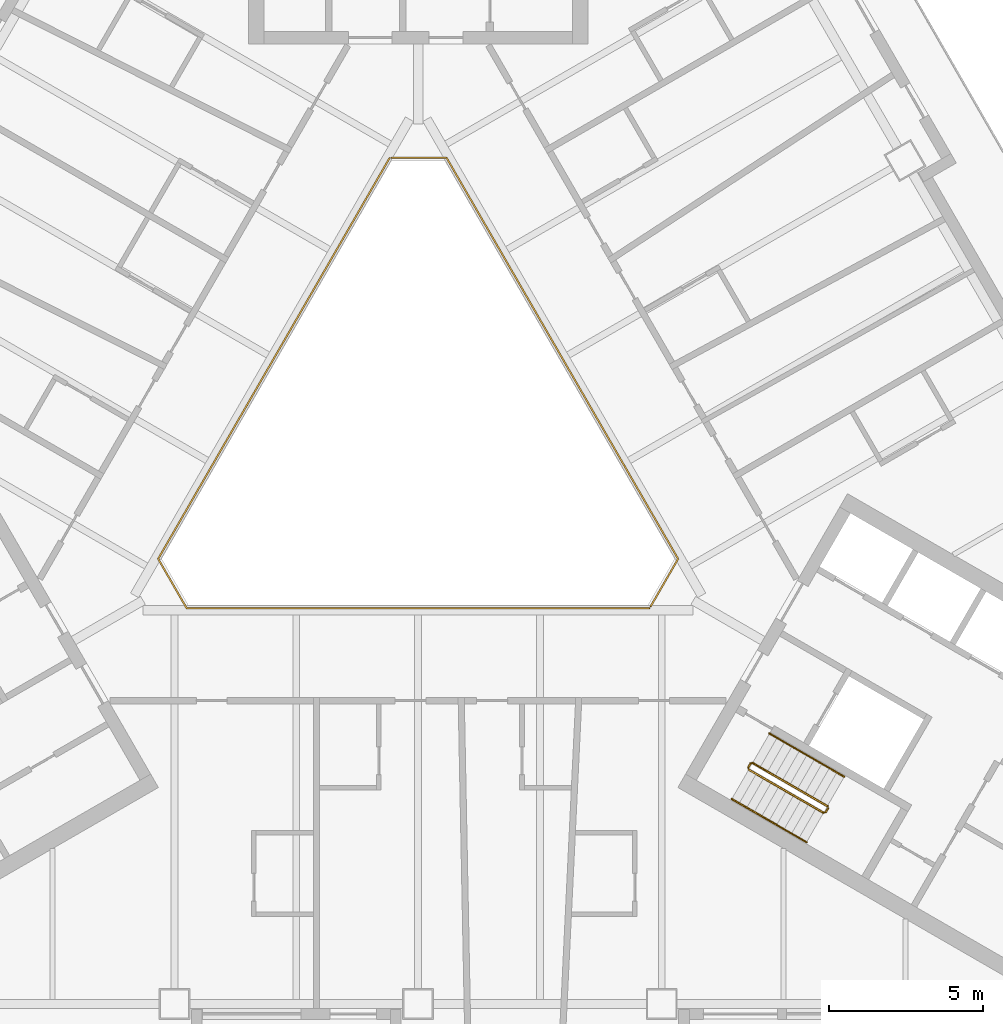
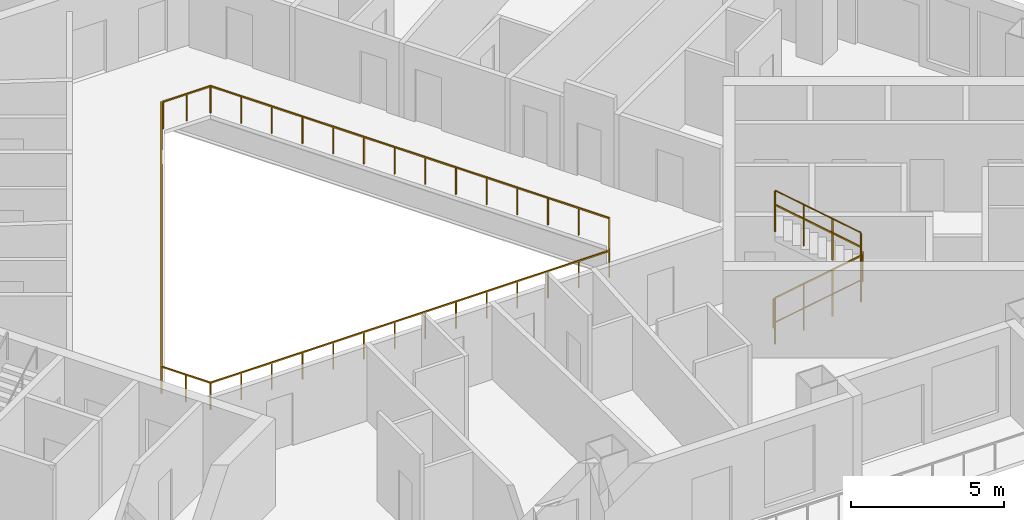
# One storey, part 12 of 14: 8 railings.
"""IFC4 building model written with IfcOpenShell, lengths in metres."""

from ifc_helpers import new_model, si_unit, direction, frame, origin, origin_2d, place, context, subcontext, project, spatial, rectangle, circle, extrude, material, type_object, element, save


model = new_model("IFC4")

# Units and contexts
model_context = context("Model", 3, precision=1e-05, world=origin(), true_north=direction((0.0, 1.0)))
body_context = subcontext(model_context, "Body", "Model", "MODEL_VIEW")
ifc_project = project(units=[si_unit("LENGTHUNIT", "METRE"), si_unit("AREAUNIT", "SQUARE_METRE"), si_unit("VOLUMEUNIT", "CUBIC_METRE"), si_unit("PLANEANGLEUNIT", "RADIAN"), si_unit("MASSUNIT", "GRAM", prefix="KILO")], contexts=[model_context])

# Site, building, storey
site_placement = place(None, origin())
site = spatial("IfcSite", under=ifc_project, at=site_placement, CompositionType="ELEMENT")
building_placement = place(site_placement, origin())
building = spatial("IfcBuilding", under=site, at=building_placement, Name="Apuvela Tower Hotel", CompositionType="ELEMENT")
storey_placement = place(building_placement, frame((0.0, 0.0, 50.199951171875)))
storey = spatial("IfcBuildingStorey", under=building, at=storey_placement, Name="L09", CompositionType="ELEMENT", Elevation=50.199951171875)

# Railings
ifc_material_1 = material(Name="Steel S275 balustrade", Category="steel")
railing_type_1 = type_object("IfcRailingType", Name="COR-GUARD-1100", PredefinedType="GUARDRAIL", material=ifc_material_1)
railing_1_placement = place(storey_placement, frame((10.718994140625, -10.63427734375, 0.168212890625)))
element("IfcRailing", 1, at=railing_1_placement, inside=storey, type_object=railing_type_1, Name="L09 ST3 stair guard 1", PredefinedType="GUARDRAIL", context=body_context, shape_type="SweptSolid", body=[
    extrude(rectangle(XDim=0.048095703125, YDim=0.048095703125, at=origin_2d()), frame((0.0, 0.0, 1.076171875), z_axis=(0.742390482028, -0.42860119049, 0.514934356695), x_axis=(0.49998411664, 0.866034573852, 0.0)), (0.0, 0.0, 1.0), 3.26611328125),
    extrude(rectangle(XDim=0.0419921875, YDim=0.0419921875, at=origin_2d()), origin(), (0.0, 0.0, 1.0), 1.052001953125),
    extrude(rectangle(XDim=0.0419921875, YDim=0.0419921875, at=origin_2d()), frame((0.808349609375, -0.466552734375, 0.560546875)), (0.0, 0.0, 1.0), 1.052001953125),
    extrude(rectangle(XDim=0.0419921875, YDim=0.0419921875, at=origin_2d()), frame((1.616455078125, -0.933349609375, 1.121337890625)), (0.0, 0.0, 1.0), 1.052001953125),
    extrude(rectangle(XDim=0.0419921875, YDim=0.0419921875, at=origin_2d()), frame((2.4248046875, -1.39990234375, 1.681884765625)), (0.0, 0.0, 1.0), 1.052001953125),
])
railing_2_placement = place(storey_placement, frame((13.212158203125, -12.015869140625, 1.85009765625)))
element("IfcRailing", 2, at=railing_2_placement, inside=storey, type_object=railing_type_1, Name="L09 ST3 stair guard 2", PredefinedType="GUARDRAIL", context=body_context, shape_type="SweptSolid", body=[
    extrude(rectangle(XDim=0.048095703125, YDim=0.048095703125, at=origin_2d()), frame((0.0, 0.0, 1.076171875), z_axis=(0.499816412211, 0.866131372301, 0.0), x_axis=(-0.866131372301, 0.499816412211, 0.0)), (0.0, 0.0, 1.0), 0.14990234375),
    extrude(rectangle(XDim=0.0419921875, YDim=0.0419921875, at=origin_2d()), origin(), (0.0, 0.0, 1.0), 1.052001953125),
    extrude(rectangle(XDim=0.0419921875, YDim=0.0419921875, at=origin_2d()), frame((0.074951171875, 0.1298828125, 0.0)), (0.0, 0.0, 1.0), 1.052001953125),
])
railing_3_placement = place(storey_placement, frame((13.268798828125, -11.817626953125, 2.018310546875)))
element("IfcRailing", 3, at=railing_3_placement, inside=storey, type_object=railing_type_1, Name="L09 ST3 stair guard 3", PredefinedType="GUARDRAIL", context=body_context, shape_type="SweptSolid", body=[
    extrude(rectangle(XDim=0.048095703125, YDim=0.048095703125, at=origin_2d()), frame((0.0, 0.0, 1.076171875), z_axis=(-0.74241905619, 0.428617687091, 0.514879426), x_axis=(-0.49998411664, -0.866034573852, 0.0)), (0.0, 0.0, 1.0), 3.26611328125),
    extrude(rectangle(XDim=0.0419921875, YDim=0.0419921875, at=origin_2d()), origin(), (0.0, 0.0, 1.0), 1.052001953125),
    extrude(rectangle(XDim=0.0419921875, YDim=0.0419921875, at=origin_2d()), frame((-0.808349609375, 0.466552734375, 0.560546875)), (0.0, 0.0, 1.0), 1.052001953125),
    extrude(rectangle(XDim=0.0419921875, YDim=0.0419921875, at=origin_2d()), frame((-1.616455078125, 0.933349609375, 1.12109375)), (0.0, 0.0, 1.0), 1.052001953125),
    extrude(rectangle(XDim=0.0419921875, YDim=0.0419921875, at=origin_2d()), frame((-2.4248046875, 1.39990234375, 1.681640625)), (0.0, 0.0, 1.0), 1.052001953125),
])
railing_4_placement = place(storey_placement, frame((10.70068359375, -10.56591796875, 0.0)))
element("IfcRailing", 4, at=railing_4_placement, inside=storey, type_object=railing_type_1, Name="L09 ST3 stair guard 4", PredefinedType="GUARDRAIL", context=body_context, shape_type="SweptSolid", body=[
    extrude(rectangle(XDim=0.048095703125, YDim=0.048095703125, at=origin_2d()), frame((0.0, 0.0, 1.076171875), z_axis=(0.499816412211, 0.866131372301, 0.0), x_axis=(-0.866131372301, 0.499816412211, 0.0)), (0.0, 0.0, 1.0), 0.14990234375),
    extrude(rectangle(XDim=0.0419921875, YDim=0.0419921875, at=origin_2d()), origin(), (0.0, 0.0, 1.0), 1.052001953125),
    extrude(rectangle(XDim=0.0419921875, YDim=0.0419921875, at=origin_2d()), frame((0.074951171875, 0.1298828125, 0.0)), (0.0, 0.0, 1.0), 1.052001953125),
])
ifc_material_2 = material(Name="Stainless steel 316 handrail", Category="steel")
railing_type_2 = type_object("IfcRailingType", Name="COR-HANDRAIL-900", PredefinedType="HANDRAIL", material=ifc_material_2)
railing_5_placement = place(storey_placement, frame((10.1689453125, -11.5869140625, 0.168212890625)))
element("IfcRailing", 5, at=railing_5_placement, inside=storey, type_object=railing_type_2, Name="L09 ST3 stair handrail 1", PredefinedType="HANDRAIL", context=body_context, shape_type="SweptSolid", body=[
    extrude(circle(Radius=0.02392578125, at=origin_2d()), frame((0.0, 0.0, 0.8759765625), z_axis=(0.742390482028, -0.42860119049, 0.514934356695), x_axis=(0.49998411664, 0.866034573852, 0.0)), (0.0, 0.0, 1.0), 3.26611328125),
    extrude(rectangle(XDim=0.0419921875, YDim=0.0419921875, at=origin_2d()), origin(), (0.0, 0.0, 1.0), 0.851806640625),
    extrude(rectangle(XDim=0.0419921875, YDim=0.0419921875, at=origin_2d()), frame((0.808349609375, -0.466552734375, 0.560546875)), (0.0, 0.0, 1.0), 0.851806640625),
    extrude(rectangle(XDim=0.0419921875, YDim=0.0419921875, at=origin_2d()), frame((1.616455078125, -0.933349609375, 1.121337890625)), (0.0, 0.0, 1.0), 0.851806640625),
    extrude(rectangle(XDim=0.0419921875, YDim=0.0419921875, at=origin_2d()), frame((2.4248046875, -1.39990234375, 1.681884765625)), (0.0, 0.0, 1.0), 0.851806640625),
])
railing_6_placement = place(storey_placement, frame((13.81884765625, -10.864990234375, 2.018310546875)))
element("IfcRailing", 6, at=railing_6_placement, inside=storey, type_object=railing_type_2, Name="L09 ST3 stair handrail 2", PredefinedType="HANDRAIL", context=body_context, shape_type="SweptSolid", body=[
    extrude(circle(Radius=0.02392578125, at=origin_2d()), frame((0.0, 0.0, 0.8759765625), z_axis=(-0.74241905619, 0.428617687091, 0.514879426), x_axis=(-0.49998411664, -0.866034573852, 0.0)), (0.0, 0.0, 1.0), 3.26611328125),
    extrude(rectangle(XDim=0.0419921875, YDim=0.0419921875, at=origin_2d()), origin(), (0.0, 0.0, 1.0), 0.851806640625),
    extrude(rectangle(XDim=0.0419921875, YDim=0.0419921875, at=origin_2d()), frame((-0.808349609375, 0.466552734375, 0.560546875)), (0.0, 0.0, 1.0), 0.851806640625),
    extrude(rectangle(XDim=0.0419921875, YDim=0.0419921875, at=origin_2d()), frame((-1.616455078125, 0.933349609375, 1.12109375)), (0.0, 0.0, 1.0), 0.851806640625),
    extrude(rectangle(XDim=0.0419921875, YDim=0.0419921875, at=origin_2d()), frame((-2.4248046875, 1.39990234375, 1.681640625)), (0.0, 0.0, 1.0), 0.851806640625),
])
ifc_material_3 = material(Name="Stainless steel 316 rail with laminated glass infill", Category="steel")
railing_type_3 = type_object("IfcRailingType", Name="ENV-GUARD-1100", PredefinedType="GUARDRAIL", material=ifc_material_3)
railing_7_placement = place(storey_placement, frame((-0.923828125, 9.199951171875, 0.0)))
element("IfcRailing", 7, at=railing_7_placement, inside=storey, type_object=railing_type_3, Name="Atrium void guard A L09", PredefinedType="GUARDRAIL", context=body_context, shape_type="SweptSolid", body=[
    extrude(rectangle(XDim=0.050048828125, YDim=0.050048828125, at=origin_2d()), frame((0.0, 0.0, 1.0751953125), z_axis=(-0.499990886379, -0.866030665472, 0.0), x_axis=(0.866030665472, -0.499990886379, 0.0)), (0.0, 0.0, 1.0), 15.010986328125),
    extrude(rectangle(XDim=0.050048828125, YDim=0.050048828125, at=origin_2d()), frame((-7.50537109375, -13.0, 1.0751953125), z_axis=(0.499962699187, -0.866046938348, 0.0), x_axis=(0.866046938348, 0.499962699187, 0.0)), (0.0, 0.0, 1.0), 1.847412109375),
    extrude(rectangle(XDim=0.050048828125, YDim=0.050048828125, at=origin_2d()), frame((-6.581787109375, -14.599853515625, 1.0751953125), z_axis=(1.0, 0.0, 0.0), x_axis=(0.0, 1.0, 0.0)), (0.0, 0.0, 1.0), 15.01123046875),
    extrude(rectangle(XDim=0.0400390625, YDim=0.0400390625, at=origin_2d()), origin(), (0.0, 0.0, 1.0), 1.050048828125),
    extrude(rectangle(XDim=0.0400390625, YDim=0.0400390625, at=origin_2d()), frame((-0.577392578125, -1.0, 0.0)), (0.0, 0.0, 1.0), 1.050048828125),
    extrude(rectangle(XDim=0.0400390625, YDim=0.0400390625, at=origin_2d()), frame((-1.15478515625, -2.0, 0.0)), (0.0, 0.0, 1.0), 1.050048828125),
    extrude(rectangle(XDim=0.0400390625, YDim=0.0400390625, at=origin_2d()), frame((-1.73193359375, -3.0, 0.0)), (0.0, 0.0, 1.0), 1.050048828125),
    extrude(rectangle(XDim=0.0400390625, YDim=0.0400390625, at=origin_2d()), frame((-2.309326171875, -4.0, 0.0)), (0.0, 0.0, 1.0), 1.050048828125),
    extrude(rectangle(XDim=0.0400390625, YDim=0.0400390625, at=origin_2d()), frame((-2.88671875, -5.0, 0.0)), (0.0, 0.0, 1.0), 1.050048828125),
    extrude(rectangle(XDim=0.0400390625, YDim=0.0400390625, at=origin_2d()), frame((-3.464111328125, -6.0, 0.0)), (0.0, 0.0, 1.0), 1.050048828125),
    extrude(rectangle(XDim=0.0400390625, YDim=0.0400390625, at=origin_2d()), frame((-4.041259765625, -7.0, 0.0)), (0.0, 0.0, 1.0), 1.050048828125),
    extrude(rectangle(XDim=0.0400390625, YDim=0.0400390625, at=origin_2d()), frame((-4.61865234375, -8.0, 0.0)), (0.0, 0.0, 1.0), 1.050048828125),
    extrude(rectangle(XDim=0.0400390625, YDim=0.0400390625, at=origin_2d()), frame((-5.196044921875, -9.0, 0.0)), (0.0, 0.0, 1.0), 1.050048828125),
    extrude(rectangle(XDim=0.0400390625, YDim=0.0400390625, at=origin_2d()), frame((-5.7734375, -10.0, 0.0)), (0.0, 0.0, 1.0), 1.050048828125),
    extrude(rectangle(XDim=0.0400390625, YDim=0.0400390625, at=origin_2d()), frame((-6.3505859375, -11.0, 0.0)), (0.0, 0.0, 1.0), 1.050048828125),
    extrude(rectangle(XDim=0.0400390625, YDim=0.0400390625, at=origin_2d()), frame((-6.927978515625, -12.0, 0.0)), (0.0, 0.0, 1.0), 1.050048828125),
    extrude(rectangle(XDim=0.0400390625, YDim=0.0400390625, at=origin_2d()), frame((-7.50537109375, -13.0, 0.0)), (0.0, 0.0, 1.0), 1.050048828125),
    extrude(rectangle(XDim=0.0400390625, YDim=0.0400390625, at=origin_2d()), frame((-7.04345703125, -13.7998046875, 0.0)), (0.0, 0.0, 1.0), 1.050048828125),
    extrude(rectangle(XDim=0.0400390625, YDim=0.0400390625, at=origin_2d()), frame((-6.581787109375, -14.599853515625, 0.0)), (0.0, 0.0, 1.0), 1.050048828125),
    extrude(rectangle(XDim=0.0400390625, YDim=0.0400390625, at=origin_2d()), frame((-5.427001953125, -14.599853515625, 0.0)), (0.0, 0.0, 1.0), 1.050048828125),
    extrude(rectangle(XDim=0.0400390625, YDim=0.0400390625, at=origin_2d()), frame((-4.2724609375, -14.599853515625, 0.0)), (0.0, 0.0, 1.0), 1.050048828125),
    extrude(rectangle(XDim=0.0400390625, YDim=0.0400390625, at=origin_2d()), frame((-3.11767578125, -14.599853515625, 0.0)), (0.0, 0.0, 1.0), 1.050048828125),
    extrude(rectangle(XDim=0.0400390625, YDim=0.0400390625, at=origin_2d()), frame((-1.962890625, -14.599853515625, 0.0)), (0.0, 0.0, 1.0), 1.050048828125),
    extrude(rectangle(XDim=0.0400390625, YDim=0.0400390625, at=origin_2d()), frame((-0.808349609375, -14.599853515625, 0.0)), (0.0, 0.0, 1.0), 1.050048828125),
    extrude(rectangle(XDim=0.0400390625, YDim=0.0400390625, at=origin_2d()), frame((0.346435546875, -14.599853515625, 0.0)), (0.0, 0.0, 1.0), 1.050048828125),
    extrude(rectangle(XDim=0.0400390625, YDim=0.0400390625, at=origin_2d()), frame((1.501220703125, -14.599853515625, 0.0)), (0.0, 0.0, 1.0), 1.050048828125),
    extrude(rectangle(XDim=0.0400390625, YDim=0.0400390625, at=origin_2d()), frame((2.656005859375, -14.599853515625, 0.0)), (0.0, 0.0, 1.0), 1.050048828125),
    extrude(rectangle(XDim=0.0400390625, YDim=0.0400390625, at=origin_2d()), frame((3.810546875, -14.599853515625, 0.0)), (0.0, 0.0, 1.0), 1.050048828125),
    extrude(rectangle(XDim=0.0400390625, YDim=0.0400390625, at=origin_2d()), frame((4.96533203125, -14.599853515625, 0.0)), (0.0, 0.0, 1.0), 1.050048828125),
    extrude(rectangle(XDim=0.0400390625, YDim=0.0400390625, at=origin_2d()), frame((6.1201171875, -14.599853515625, 0.0)), (0.0, 0.0, 1.0), 1.050048828125),
    extrude(rectangle(XDim=0.0400390625, YDim=0.0400390625, at=origin_2d()), frame((7.274658203125, -14.599853515625, 0.0)), (0.0, 0.0, 1.0), 1.050048828125),
    extrude(rectangle(XDim=0.0400390625, YDim=0.0400390625, at=origin_2d()), frame((8.429443359375, -14.599853515625, 0.0)), (0.0, 0.0, 1.0), 1.050048828125),
])
railing_8_placement = place(storey_placement, frame((7.53564453125, -5.347900390625, 0.0)))
element("IfcRailing", 8, at=railing_8_placement, inside=storey, type_object=railing_type_3, Name="Atrium void guard B L09", PredefinedType="GUARDRAIL", context=body_context, shape_type="SweptSolid", body=[
    extrude(rectangle(XDim=0.050048828125, YDim=0.050048828125, at=origin_2d()), frame((0.0, 0.0, 1.0751953125), z_axis=(0.499958946799, 0.866049104564, 0.0), x_axis=(-0.866049104564, 0.499958946799, 0.0)), (0.0, 0.0, 1.0), 1.787353515625),
    extrude(rectangle(XDim=0.050048828125, YDim=0.050048828125, at=origin_2d()), frame((0.8935546875, 1.5478515625, 1.0751953125), z_axis=(-0.499990886379, 0.866030665472, 0.0), x_axis=(-0.866030665472, -0.499990886379, 0.0)), (0.0, 0.0, 1.0), 15.010986328125),
    extrude(rectangle(XDim=0.050048828125, YDim=0.050048828125, at=origin_2d()), frame((-6.61181640625, 14.5478515625, 1.0751953125), z_axis=(-1.0, 0.0, 0.0), x_axis=(0.0, -1.0, 0.0)), (0.0, 0.0, 1.0), 1.78759765625),
    extrude(rectangle(XDim=0.0400390625, YDim=0.0400390625, at=origin_2d()), origin(), (0.0, 0.0, 1.0), 1.050048828125),
    extrude(rectangle(XDim=0.0400390625, YDim=0.0400390625, at=origin_2d()), frame((0.44677734375, 0.77392578125, 0.0)), (0.0, 0.0, 1.0), 1.050048828125),
    extrude(rectangle(XDim=0.0400390625, YDim=0.0400390625, at=origin_2d()), frame((0.8935546875, 1.5478515625, 0.0)), (0.0, 0.0, 1.0), 1.050048828125),
    extrude(rectangle(XDim=0.0400390625, YDim=0.0400390625, at=origin_2d()), frame((0.316162109375, 2.5478515625, 0.0)), (0.0, 0.0, 1.0), 1.050048828125),
    extrude(rectangle(XDim=0.0400390625, YDim=0.0400390625, at=origin_2d()), frame((-0.26123046875, 3.5478515625, 0.0)), (0.0, 0.0, 1.0), 1.050048828125),
    extrude(rectangle(XDim=0.0400390625, YDim=0.0400390625, at=origin_2d()), frame((-0.83837890625, 4.5478515625, 0.0)), (0.0, 0.0, 1.0), 1.050048828125),
    extrude(rectangle(XDim=0.0400390625, YDim=0.0400390625, at=origin_2d()), frame((-1.415771484375, 5.5478515625, 0.0)), (0.0, 0.0, 1.0), 1.050048828125),
    extrude(rectangle(XDim=0.0400390625, YDim=0.0400390625, at=origin_2d()), frame((-1.9931640625, 6.5478515625, 0.0)), (0.0, 0.0, 1.0), 1.050048828125),
    extrude(rectangle(XDim=0.0400390625, YDim=0.0400390625, at=origin_2d()), frame((-2.570556640625, 7.5478515625, 0.0)), (0.0, 0.0, 1.0), 1.050048828125),
    extrude(rectangle(XDim=0.0400390625, YDim=0.0400390625, at=origin_2d()), frame((-3.147705078125, 8.5478515625, 0.0)), (0.0, 0.0, 1.0), 1.050048828125),
    extrude(rectangle(XDim=0.0400390625, YDim=0.0400390625, at=origin_2d()), frame((-3.72509765625, 9.5478515625, 0.0)), (0.0, 0.0, 1.0), 1.050048828125),
    extrude(rectangle(XDim=0.0400390625, YDim=0.0400390625, at=origin_2d()), frame((-4.302490234375, 10.5478515625, 0.0)), (0.0, 0.0, 1.0), 1.050048828125),
    extrude(rectangle(XDim=0.0400390625, YDim=0.0400390625, at=origin_2d()), frame((-4.8798828125, 11.5478515625, 0.0)), (0.0, 0.0, 1.0), 1.050048828125),
    extrude(rectangle(XDim=0.0400390625, YDim=0.0400390625, at=origin_2d()), frame((-5.45703125, 12.5478515625, 0.0)), (0.0, 0.0, 1.0), 1.050048828125),
    extrude(rectangle(XDim=0.0400390625, YDim=0.0400390625, at=origin_2d()), frame((-6.034423828125, 13.5478515625, 0.0)), (0.0, 0.0, 1.0), 1.050048828125),
    extrude(rectangle(XDim=0.0400390625, YDim=0.0400390625, at=origin_2d()), frame((-6.61181640625, 14.5478515625, 0.0)), (0.0, 0.0, 1.0), 1.050048828125),
    extrude(rectangle(XDim=0.0400390625, YDim=0.0400390625, at=origin_2d()), frame((-7.505615234375, 14.5478515625, 0.0)), (0.0, 0.0, 1.0), 1.050048828125),
    extrude(rectangle(XDim=0.0400390625, YDim=0.0400390625, at=origin_2d()), frame((-8.3994140625, 14.5478515625, 0.0)), (0.0, 0.0, 1.0), 1.050048828125),
])

save(model, "model.ifc")
